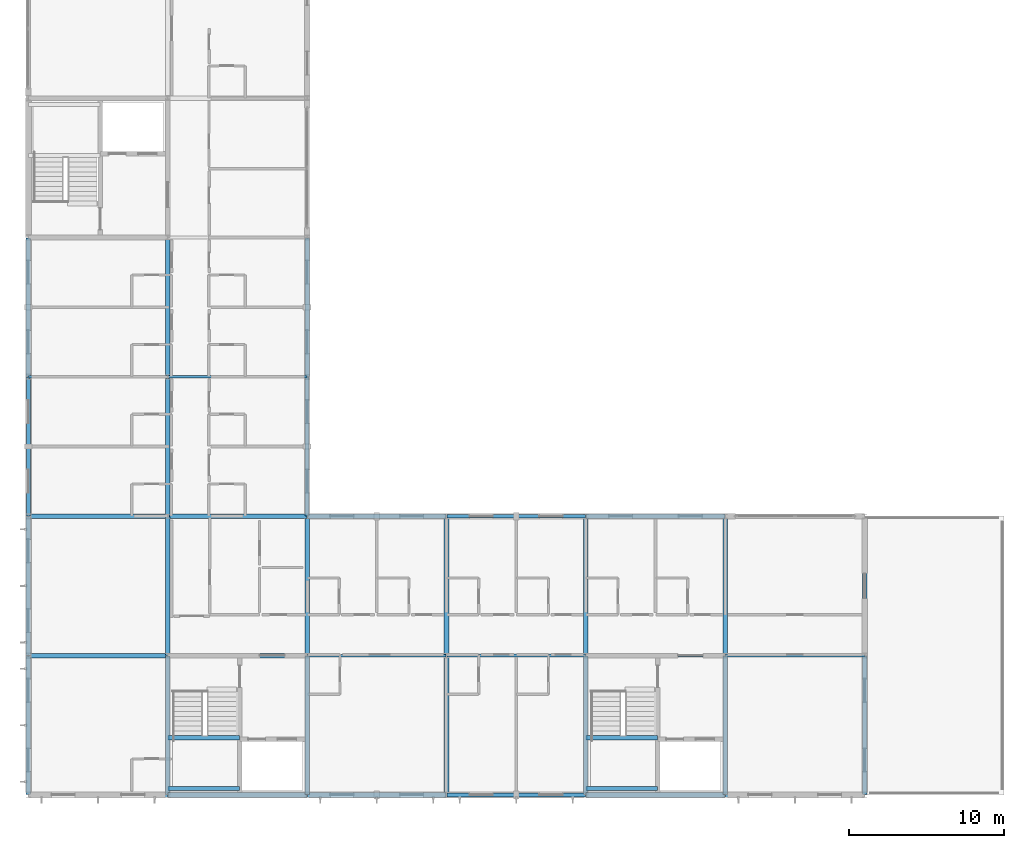
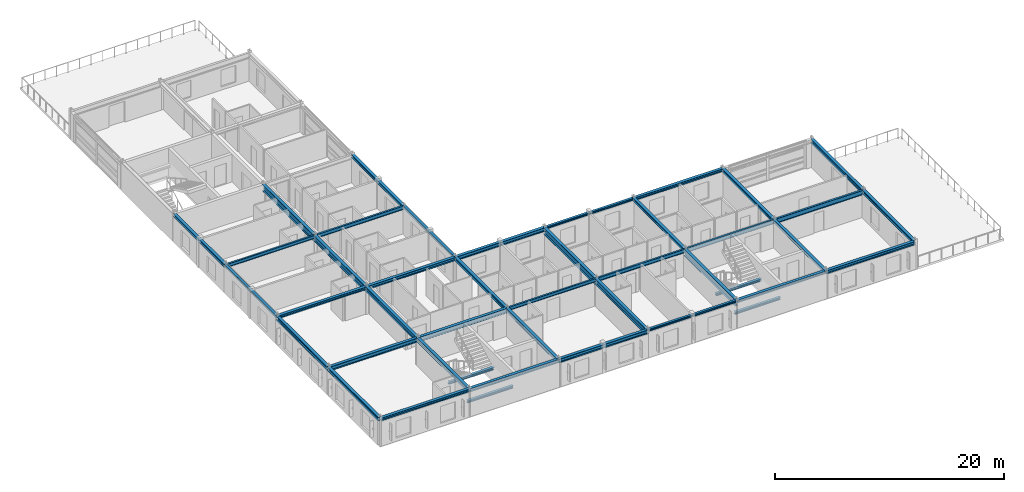
# One storey, part 5 of 18: 43 beams.
"""IFC4 building model written with IfcOpenShell, lengths in metres."""

from ifc_helpers import new_model, si_unit, direction, frame, origin, origin_2d, place, context, subcontext, project, spatial, i_section, extrude, material, material_profile, profile_set, type_object, element, save


model = new_model("IFC4")

# Units and contexts
model_context = context("Model", 3, precision=1e-05, world=origin(), true_north=direction((0.0, 1.0)))
body_context = subcontext(model_context, "Body", "Model", "MODEL_VIEW")
ifc_project = project(units=[si_unit("LENGTHUNIT", "METRE"), si_unit("AREAUNIT", "SQUARE_METRE"), si_unit("VOLUMEUNIT", "CUBIC_METRE"), si_unit("PLANEANGLEUNIT", "RADIAN"), si_unit("MASSUNIT", "GRAM", prefix="KILO")], contexts=[model_context])

# Site, building, storey
site_placement = place(None, origin())
site = spatial("IfcSite", under=ifc_project, at=site_placement, CompositionType="ELEMENT")
building_placement = place(site_placement, origin())
building = spatial("IfcBuilding", under=site, at=building_placement, Name="Palais des Congres Ocreval", CompositionType="ELEMENT")
storey_placement = place(building_placement, frame((0.0, 0.0, 23.679931640625)))
storey = spatial("IfcBuildingStorey", under=building, at=storey_placement, Name="L07", CompositionType="ELEMENT", Elevation=23.679931640625)

# Beams
ifc_material = material(Name="Steel S355", Category="steel")
ifc_material_profile_1 = material_profile(ifc_material, i_section(OverallWidth=0.169921875, OverallDepth=0.360107421875, WebThickness=0.008056640625, FlangeThickness=0.0126953125, at=origin_2d()), Name="IPE 360")
ifc_profile_set_1 = profile_set([ifc_material_profile_1], Name="Steel S355")
beam_type_1 = type_object("IfcBeamType", Name="Composite Beam IPE 360 Steel S355", PredefinedType="BEAM", material=ifc_profile_set_1)
for number, where, z_axis, x_axis, name in (
    (1, (0.02001953125, 27.0, 2.780029296875), (1.0, 0.0, 0.0), (0.0, 1.0, 0.0), "Beam B01 L07"),
    (2, (18.02001953125, 9.0, 2.780029296875), (1.0, 0.0, 0.0), (0.0, 1.0, 0.0), "Beam B01 L07"),
):
    element("IfcBeam", number, at=place(storey_placement, frame(where, z_axis=z_axis, x_axis=x_axis)), inside=storey, type_object=beam_type_1, Name=name, PredefinedType="BEAM", context=body_context, shape_type="SweptSolid", body=[
        extrude(i_section(OverallWidth=0.169921875, OverallDepth=0.360107421875, WebThickness=0.008056640625, FlangeThickness=0.0126953125, at=origin_2d()), origin(), (0.0, 0.0, 1.0), 8.9599609375),
    ])
ifc_material_profile_2 = material_profile(ifc_material, i_section(OverallWidth=0.179931640625, OverallDepth=0.39990234375, WebThickness=0.008544921875, FlangeThickness=0.013427734375, at=origin_2d()), Name="IPE 400")
ifc_profile_set_2 = profile_set([ifc_material_profile_2], Name="Steel S355")
beam_type_2 = type_object("IfcBeamType", Name="Composite Beam IPE 400 Steel S355", PredefinedType="BEAM", material=ifc_profile_set_2)
for number, where, z_axis, x_axis, name in (
    (3, (9.02001953125, 27.0, 2.760009765625), (1.0, 0.0, 0.0), (0.0, 1.0, 0.0), "Beam B02 L07"),
    (4, (27.02001953125, 9.0, 2.760009765625), (1.0, 0.0, 0.0), (0.0, 1.0, 0.0), "Beam B02 L07"),
):
    element("IfcBeam", number, at=place(storey_placement, frame(where, z_axis=z_axis, x_axis=x_axis)), inside=storey, type_object=beam_type_2, Name=name, PredefinedType="BEAM", context=body_context, shape_type="SweptSolid", body=[
        extrude(i_section(OverallWidth=0.179931640625, OverallDepth=0.39990234375, WebThickness=0.008544921875, FlangeThickness=0.013427734375, at=origin_2d()), origin(), (0.0, 0.0, 1.0), 8.9599609375),
    ])
ifc_material_profile_3 = material_profile(ifc_material, i_section(OverallWidth=0.18994140625, OverallDepth=0.449951171875, WebThickness=0.009521484375, FlangeThickness=0.0146484375, at=origin_2d()), Name="IPE 450")
ifc_profile_set_3 = profile_set([ifc_material_profile_3], Name="Steel S355")
beam_type_3 = type_object("IfcBeamType", Name="Composite Beam IPE 450 Steel S355", PredefinedType="BEAM", material=ifc_profile_set_3)
beam_1_placement = place(storey_placement, frame((36.02001953125, 9.0, 2.735107421875), z_axis=(1.0, 0.0, 0.0), x_axis=(0.0, 1.0, 0.0)))
element("IfcBeam", 5, at=beam_1_placement, inside=storey, type_object=beam_type_3, Name="Beam B03 L07", PredefinedType="BEAM", context=body_context, shape_type="SweptSolid", body=[
    extrude(i_section(OverallWidth=0.18994140625, OverallDepth=0.449951171875, WebThickness=0.009521484375, FlangeThickness=0.0146484375, at=origin_2d()), origin(), (0.0, 0.0, 1.0), 8.9599609375),
])
ifc_material_profile_4 = material_profile(ifc_material, i_section(OverallWidth=0.199951171875, OverallDepth=0.5, WebThickness=0.01025390625, FlangeThickness=0.01611328125, at=origin_2d()), Name="IPE 500")
ifc_profile_set_4 = profile_set([ifc_material_profile_4], Name="Steel S355")
beam_type_4 = type_object("IfcBeamType", Name="Composite Beam IPE 500 Steel S355", PredefinedType="BEAM", material=ifc_profile_set_4)
beam_2_placement = place(storey_placement, frame((45.02001953125, 9.0, 2.7099609375), z_axis=(1.0, 0.0, 0.0), x_axis=(0.0, 1.0, 0.0)))
element("IfcBeam", 6, at=beam_2_placement, inside=storey, type_object=beam_type_4, Name="Beam B04 L07", PredefinedType="BEAM", context=body_context, shape_type="SweptSolid", body=[
    extrude(i_section(OverallWidth=0.199951171875, OverallDepth=0.5, WebThickness=0.01025390625, FlangeThickness=0.01611328125, at=origin_2d()), origin(), (0.0, 0.0, 1.0), 8.9599609375),
])
ifc_material_profile_5 = material_profile(ifc_material, i_section(OverallWidth=0.260009765625, OverallDepth=0.260009765625, WebThickness=0.010009765625, FlangeThickness=0.017578125, at=origin_2d()), Name="HEB 260")
ifc_profile_set_5 = profile_set([ifc_material_profile_5], Name="Steel S355")
beam_type_5 = type_object("IfcBeamType", Name="Opening Lintel HEB 260 Steel S355", PredefinedType="LINTEL", material=ifc_profile_set_5)
for number, where, z_axis, x_axis, name in (
    (7, (0.0, 18.02001953125, 2.830078125), (0.0, 1.0, 0.0), (-1.0, 0.0, 0.0), "Girder LN01 L07"),
    (8, (18.0, 18.02001953125, 2.830078125), (0.0, 1.0, 0.0), (-1.0, 0.0, 0.0), "Girder LN01 L07"),
):
    element("IfcBeam", number, at=place(storey_placement, frame(where, z_axis=z_axis, x_axis=x_axis)), inside=storey, type_object=beam_type_5, Name=name, PredefinedType="LINTEL", context=body_context, shape_type="SweptSolid", body=[
        extrude(i_section(OverallWidth=0.260009765625, OverallDepth=0.260009765625, WebThickness=0.010009765625, FlangeThickness=0.017578125, at=origin_2d()), origin(), (0.0, 0.0, 1.0), 8.9599609375),
    ])
for number, where, z_axis, x_axis, name in (
    (9, (9.02001953125, 0.419921875, 1.27001953125), (1.0, 0.0, 0.0), (0.0, 1.0, 0.0), "Stair Landing Support Beam ST01 L07-1"),
    (10, (9.02001953125, 3.695068359375, 1.27001953125), (1.0, 0.0, 0.0), (0.0, 1.0, 0.0), "Stair Landing Support Beam ST01 L07-2"),
    (11, (36.02001953125, 0.419921875, 1.27001953125), (1.0, 0.0, 0.0), (0.0, 1.0, 0.0), "Stair Landing Support Beam ST02 L07-1"),
    (12, (36.02001953125, 3.695068359375, 1.27001953125), (1.0, 0.0, 0.0), (0.0, 1.0, 0.0), "Stair Landing Support Beam ST02 L07-2"),
):
    element("IfcBeam", number, at=place(storey_placement, frame(where, z_axis=z_axis, x_axis=x_axis)), inside=storey, type_object=beam_type_5, Name=name, PredefinedType="LINTEL", context=body_context, shape_type="SweptSolid", body=[
        extrude(i_section(OverallWidth=0.260009765625, OverallDepth=0.260009765625, WebThickness=0.010009765625, FlangeThickness=0.017578125, at=origin_2d()), origin(), (0.0, 0.0, 1.0), 4.60986328125),
    ])
ifc_material_profile_6 = material_profile(ifc_material, i_section(OverallWidth=0.239990234375, OverallDepth=0.22998046875, WebThickness=0.007568359375, FlangeThickness=0.011962890625, at=origin_2d()), Name="HEA 240")
ifc_profile_set_6 = profile_set([ifc_material_profile_6], Name="Steel S355")
beam_type_6 = type_object("IfcBeamType", Name="Perimeter Spandrel HEA 240 Steel S355", PredefinedType="SPANDREL", material=ifc_profile_set_6)
for number, where, z_axis, x_axis, name in (
    (13, (27.02001953125, 0.0, 2.844970703125), (1.0, 0.0, 0.0), (0.0, 1.0, 0.0), "Beam SP01 L07"),
    (14, (27.02001953125, 18.0, 2.844970703125), (1.0, 0.0, 0.0), (0.0, 1.0, 0.0), "Beam SP01 L07"),
):
    element("IfcBeam", number, at=place(storey_placement, frame(where, z_axis=z_axis, x_axis=x_axis)), inside=storey, type_object=beam_type_6, Name=name, PredefinedType="SPANDREL", context=body_context, shape_type="SweptSolid", body=[
        extrude(i_section(OverallWidth=0.239990234375, OverallDepth=0.22998046875, WebThickness=0.007568359375, FlangeThickness=0.011962890625, at=origin_2d()), origin(), (0.0, 0.0, 1.0), 8.9599609375),
    ])
ifc_material_profile_7 = material_profile(ifc_material, i_section(OverallWidth=0.300048828125, OverallDepth=0.300048828125, WebThickness=0.010986328125, FlangeThickness=0.01904296875, at=origin_2d()), Name="HEB 300")
ifc_profile_set_7 = profile_set([ifc_material_profile_7], Name="Steel S355")
beam_type_7 = type_object("IfcBeamType", Name="Perimeter Spandrel HEB 300 Steel S355", PredefinedType="SPANDREL", material=ifc_profile_set_7)
for number, where, z_axis, x_axis, name in (
    (15, (0.02001953125, 0.0, 2.81005859375), (1.0, 0.0, 0.0), (0.0, 1.0, 0.0), "Beam SP02 L07"),
    (16, (0.02001953125, 18.0, 2.81005859375), (1.0, 0.0, 0.0), (0.0, 1.0, 0.0), "Beam SP02 L07"),
    (17, (0.0, 27.02001953125, 2.81005859375), (0.0, 1.0, 0.0), (-1.0, 0.0, 0.0), "Girder SP02 L07"),
    (18, (18.0, 27.02001953125, 2.81005859375), (0.0, 1.0, 0.0), (-1.0, 0.0, 0.0), "Girder SP02 L07"),
    (19, (36.02001953125, 0.0, 2.81005859375), (1.0, 0.0, 0.0), (0.0, 1.0, 0.0), "Beam SP02 L07"),
    (20, (36.02001953125, 18.0, 2.81005859375), (1.0, 0.0, 0.0), (0.0, 1.0, 0.0), "Beam SP02 L07"),
):
    element("IfcBeam", number, at=place(storey_placement, frame(where, z_axis=z_axis, x_axis=x_axis)), inside=storey, type_object=beam_type_7, Name=name, PredefinedType="SPANDREL", context=body_context, shape_type="SweptSolid", body=[
        extrude(i_section(OverallWidth=0.300048828125, OverallDepth=0.300048828125, WebThickness=0.010986328125, FlangeThickness=0.01904296875, at=origin_2d()), origin(), (0.0, 0.0, 1.0), 8.9599609375),
    ])
ifc_material_profile_8 = material_profile(ifc_material, i_section(OverallWidth=0.300048828125, OverallDepth=0.360107421875, WebThickness=0.012451171875, FlangeThickness=0.0224609375, at=origin_2d()), Name="HEB 360")
ifc_profile_set_8 = profile_set([ifc_material_profile_8], Name="Steel S355")
beam_type_8 = type_object("IfcBeamType", Name="Perimeter Spandrel HEB 360 Steel S355", PredefinedType="SPANDREL", material=ifc_profile_set_8)
for number, where, z_axis, x_axis, name in (
    (21, (0.0, 0.02001953125, 2.780029296875), (0.0, 1.0, 0.0), (-1.0, 0.0, 0.0), "Girder SP03 L07"),
    (22, (9.02001953125, 0.0, 2.780029296875), (1.0, 0.0, 0.0), (0.0, 1.0, 0.0), "Beam SP03 L07"),
    (23, (9.02001953125, 18.0, 2.780029296875), (1.0, 0.0, 0.0), (0.0, 1.0, 0.0), "Beam SP03 L07"),
    (24, (18.0, 0.02001953125, 2.780029296875), (0.0, 1.0, 0.0), (-1.0, 0.0, 0.0), "Girder SP03 L07"),
    (25, (45.02001953125, 0.0, 2.780029296875), (1.0, 0.0, 0.0), (0.0, 1.0, 0.0), "Beam SP03 L07"),
    (26, (54.0, 0.02001953125, 2.780029296875), (0.0, 1.0, 0.0), (-1.0, 0.0, 0.0), "Girder SP03 L07"),
):
    element("IfcBeam", number, at=place(storey_placement, frame(where, z_axis=z_axis, x_axis=x_axis)), inside=storey, type_object=beam_type_8, Name=name, PredefinedType="SPANDREL", context=body_context, shape_type="SweptSolid", body=[
        extrude(i_section(OverallWidth=0.300048828125, OverallDepth=0.360107421875, WebThickness=0.012451171875, FlangeThickness=0.0224609375, at=origin_2d()), origin(), (0.0, 0.0, 1.0), 8.9599609375),
    ])
ifc_material_profile_9 = material_profile(ifc_material, i_section(OverallWidth=0.300048828125, OverallDepth=0.39990234375, WebThickness=0.013427734375, FlangeThickness=0.02392578125, at=origin_2d()), Name="HEB 400")
ifc_profile_set_9 = profile_set([ifc_material_profile_9], Name="Steel S355")
beam_type_9 = type_object("IfcBeamType", Name="Perimeter Spandrel HEB 400 Steel S355", PredefinedType="SPANDREL", material=ifc_profile_set_9)
for number, where, z_axis, x_axis, name in (
    (27, (0.0, 9.02001953125, 2.760009765625), (0.0, 1.0, 0.0), (-1.0, 0.0, 0.0), "Girder SP04 L07"),
    (28, (18.02001953125, 0.0, 2.760009765625), (1.0, 0.0, 0.0), (0.0, 1.0, 0.0), "Beam SP04 L07"),
    (29, (18.0, 9.02001953125, 2.760009765625), (0.0, 1.0, 0.0), (-1.0, 0.0, 0.0), "Girder SP04 L07"),
    (30, (18.02001953125, 18.0, 2.760009765625), (1.0, 0.0, 0.0), (0.0, 1.0, 0.0), "Beam SP04 L07"),
    (31, (54.0, 9.02001953125, 2.760009765625), (0.0, 1.0, 0.0), (-1.0, 0.0, 0.0), "Girder SP04 L07"),
):
    element("IfcBeam", number, at=place(storey_placement, frame(where, z_axis=z_axis, x_axis=x_axis)), inside=storey, type_object=beam_type_9, Name=name, PredefinedType="SPANDREL", context=body_context, shape_type="SweptSolid", body=[
        extrude(i_section(OverallWidth=0.300048828125, OverallDepth=0.39990234375, WebThickness=0.013427734375, FlangeThickness=0.02392578125, at=origin_2d()), origin(), (0.0, 0.0, 1.0), 8.9599609375),
    ])
ifc_material_profile_10 = material_profile(ifc_material, i_section(OverallWidth=0.300048828125, OverallDepth=0.2900390625, WebThickness=0.008544921875, FlangeThickness=0.013916015625, at=origin_2d()), Name="HEA 300")
ifc_profile_set_10 = profile_set([ifc_material_profile_10], Name="Steel S355")
beam_type_10 = type_object("IfcBeamType", Name="Primary Beam HEA 300 Steel S355", PredefinedType="BEAM", material=ifc_profile_set_10)
for number, where, z_axis, x_axis, name in (
    (32, (36.0, 9.02001953125, 2.815185546875), (0.0, 1.0, 0.0), (-1.0, 0.0, 0.0), "Girder B08 L07"),
    (33, (45.0, 0.02001953125, 2.815185546875), (0.0, 1.0, 0.0), (-1.0, 0.0, 0.0), "Girder B08 L07"),
):
    element("IfcBeam", number, at=place(storey_placement, frame(where, z_axis=z_axis, x_axis=x_axis)), inside=storey, type_object=beam_type_10, Name=name, PredefinedType="BEAM", context=body_context, shape_type="SweptSolid", body=[
        extrude(i_section(OverallWidth=0.300048828125, OverallDepth=0.2900390625, WebThickness=0.008544921875, FlangeThickness=0.013916015625, at=origin_2d()), origin(), (0.0, 0.0, 1.0), 8.9599609375),
    ])
ifc_material_profile_11 = material_profile(ifc_material, i_section(OverallWidth=0.300048828125, OverallDepth=0.330078125, WebThickness=0.009521484375, FlangeThickness=0.0166015625, at=origin_2d()), Name="HEA 340")
ifc_profile_set_11 = profile_set([ifc_material_profile_11], Name="Steel S355")
beam_type_11 = type_object("IfcBeamType", Name="Primary Beam HEA 340 Steel S355", PredefinedType="BEAM", material=ifc_profile_set_11)
beam_3_placement = place(storey_placement, frame((45.0, 9.02001953125, 2.795166015625), z_axis=(0.0, 1.0, 0.0), x_axis=(-1.0, 0.0, 0.0)))
element("IfcBeam", 34, at=beam_3_placement, inside=storey, type_object=beam_type_11, Name="Girder B09 L07", PredefinedType="BEAM", context=body_context, shape_type="SweptSolid", body=[
    extrude(i_section(OverallWidth=0.300048828125, OverallDepth=0.330078125, WebThickness=0.009521484375, FlangeThickness=0.0166015625, at=origin_2d()), origin(), (0.0, 0.0, 1.0), 8.9599609375),
])
ifc_material_profile_12 = material_profile(ifc_material, i_section(OverallWidth=0.300048828125, OverallDepth=0.43994140625, WebThickness=0.011474609375, FlangeThickness=0.02099609375, at=origin_2d()), Name="HEA 450")
ifc_profile_set_12 = profile_set([ifc_material_profile_12], Name="Steel S355")
beam_type_12 = type_object("IfcBeamType", Name="Primary Beam HEA 450 Steel S355", PredefinedType="BEAM", material=ifc_profile_set_12)
for number, where, z_axis, x_axis, name in (
    (35, (0.02001953125, 9.0, 2.739990234375), (1.0, 0.0, 0.0), (0.0, 1.0, 0.0), "Beam B11 L07"),
    (36, (9.0, 0.02001953125, 2.739990234375), (0.0, 1.0, 0.0), (-1.0, 0.0, 0.0), "Girder B11 L07"),
):
    element("IfcBeam", number, at=place(storey_placement, frame(where, z_axis=z_axis, x_axis=x_axis)), inside=storey, type_object=beam_type_12, Name=name, PredefinedType="BEAM", context=body_context, shape_type="SweptSolid", body=[
        extrude(i_section(OverallWidth=0.300048828125, OverallDepth=0.43994140625, WebThickness=0.011474609375, FlangeThickness=0.02099609375, at=origin_2d()), origin(), (0.0, 0.0, 1.0), 8.9599609375),
    ])
ifc_material_profile_13 = material_profile(ifc_material, i_section(OverallWidth=0.300048828125, OverallDepth=0.489990234375, WebThickness=0.011962890625, FlangeThickness=0.02294921875, at=origin_2d()), Name="HEA 500")
ifc_profile_set_13 = profile_set([ifc_material_profile_13], Name="Steel S355")
beam_type_13 = type_object("IfcBeamType", Name="Primary Beam HEA 500 Steel S355", PredefinedType="BEAM", material=ifc_profile_set_13)
for number, where, z_axis, x_axis, name in (
    (37, (9.02001953125, 9.0, 2.715087890625), (1.0, 0.0, 0.0), (0.0, 1.0, 0.0), "Beam B12 L07"),
    (38, (9.0, 9.02001953125, 2.715087890625), (0.0, 1.0, 0.0), (-1.0, 0.0, 0.0), "Girder B12 L07"),
):
    element("IfcBeam", number, at=place(storey_placement, frame(where, z_axis=z_axis, x_axis=x_axis)), inside=storey, type_object=beam_type_13, Name=name, PredefinedType="BEAM", context=body_context, shape_type="SweptSolid", body=[
        extrude(i_section(OverallWidth=0.300048828125, OverallDepth=0.489990234375, WebThickness=0.011962890625, FlangeThickness=0.02294921875, at=origin_2d()), origin(), (0.0, 0.0, 1.0), 8.9599609375),
    ])
ifc_material_profile_14 = material_profile(ifc_material, i_section(OverallWidth=0.300048828125, OverallDepth=0.590087890625, WebThickness=0.012939453125, FlangeThickness=0.02490234375, at=origin_2d()), Name="HEA 600")
ifc_profile_set_14 = profile_set([ifc_material_profile_14], Name="Steel S355")
beam_type_14 = type_object("IfcBeamType", Name="Primary Girder HEA 600 Steel S355", PredefinedType="BEAM", material=ifc_profile_set_14)
for number, where, z_axis, x_axis, name in (
    (39, (9.0, 18.02001953125, 2.6650390625), (0.0, 1.0, 0.0), (-1.0, 0.0, 0.0), "Girder B13 L07"),
    (40, (27.0, 0.02001953125, 2.6650390625), (0.0, 1.0, 0.0), (-1.0, 0.0, 0.0), "Girder B13 L07"),
):
    element("IfcBeam", number, at=place(storey_placement, frame(where, z_axis=z_axis, x_axis=x_axis)), inside=storey, type_object=beam_type_14, Name=name, PredefinedType="BEAM", context=body_context, shape_type="SweptSolid", body=[
        extrude(i_section(OverallWidth=0.300048828125, OverallDepth=0.590087890625, WebThickness=0.012939453125, FlangeThickness=0.02490234375, at=origin_2d()), origin(), (0.0, 0.0, 1.0), 8.9599609375),
    ])
ifc_material_profile_15 = material_profile(ifc_material, i_section(OverallWidth=0.300048828125, OverallDepth=0.68994140625, WebThickness=0.014404296875, FlangeThickness=0.027099609375, at=origin_2d()), Name="HEA 700")
ifc_profile_set_15 = profile_set([ifc_material_profile_15], Name="Steel S355")
beam_type_15 = type_object("IfcBeamType", Name="Primary Girder HEA 700 Steel S355", PredefinedType="BEAM", material=ifc_profile_set_15)
for number, where, z_axis, x_axis, name in (
    (41, (9.0, 27.02001953125, 2.614990234375), (0.0, 1.0, 0.0), (-1.0, 0.0, 0.0), "Girder B14 L07"),
    (42, (27.0, 9.02001953125, 2.614990234375), (0.0, 1.0, 0.0), (-1.0, 0.0, 0.0), "Girder B14 L07"),
    (43, (36.0, 0.02001953125, 2.614990234375), (0.0, 1.0, 0.0), (-1.0, 0.0, 0.0), "Girder B14 L07"),
):
    element("IfcBeam", number, at=place(storey_placement, frame(where, z_axis=z_axis, x_axis=x_axis)), inside=storey, type_object=beam_type_15, Name=name, PredefinedType="BEAM", context=body_context, shape_type="SweptSolid", body=[
        extrude(i_section(OverallWidth=0.300048828125, OverallDepth=0.68994140625, WebThickness=0.014404296875, FlangeThickness=0.027099609375, at=origin_2d()), origin(), (0.0, 0.0, 1.0), 8.9599609375),
    ])

save(model, "model.ifc")
